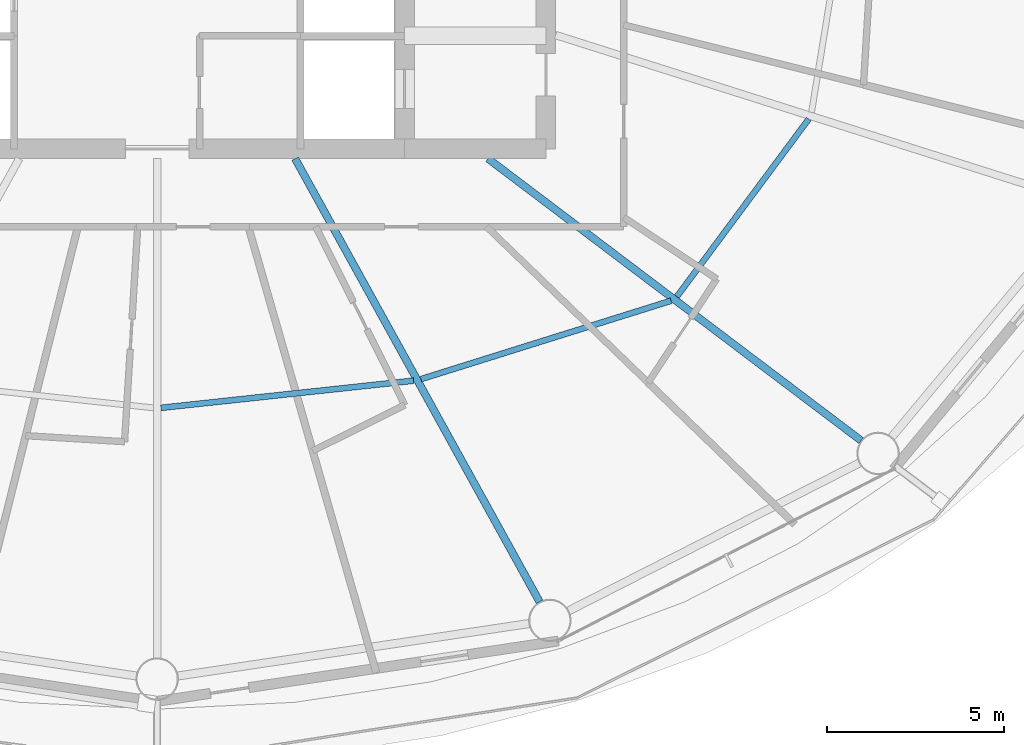
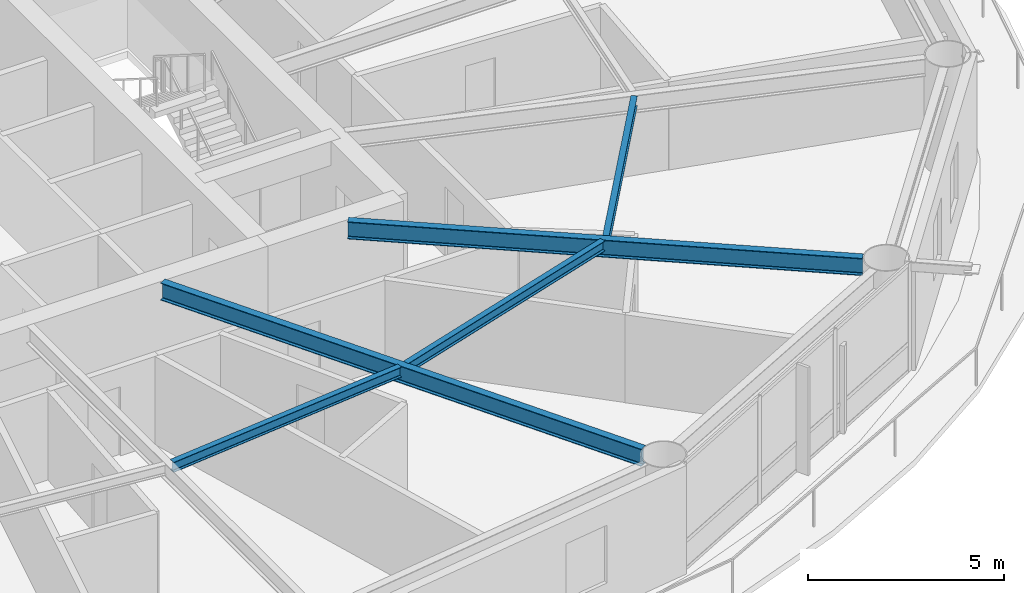
# One storey, part 5 of 24: 5 beams.
"""IFC4 building model written with IfcOpenShell, lengths in metres."""

from ifc_helpers import new_model, si_unit, direction, frame, origin, origin_2d, place, context, subcontext, project, spatial, i_section, extrude, material, material_profile, profile_set, type_object, element, save


model = new_model("IFC4")

# Units and contexts
model_context = context("Model", 3, precision=1e-05, world=origin(), true_north=direction((0.0, 1.0)))
body_context = subcontext(model_context, "Body", "Model", "MODEL_VIEW")
ifc_project = project(units=[si_unit("LENGTHUNIT", "METRE"), si_unit("AREAUNIT", "SQUARE_METRE"), si_unit("VOLUMEUNIT", "CUBIC_METRE"), si_unit("PLANEANGLEUNIT", "RADIAN"), si_unit("MASSUNIT", "GRAM", prefix="KILO")], contexts=[model_context])

# Site, building, storey
site_placement = place(None, origin())
site = spatial("IfcSite", under=ifc_project, at=site_placement, CompositionType="ELEMENT")
building_placement = place(site_placement, origin())
building = spatial("IfcBuilding", under=site, at=building_placement, Name="Sarneth Arch Tower", CompositionType="ELEMENT")
storey_placement = place(building_placement, frame((0.0, 0.0, 94.800048828125)))
storey = spatial("IfcBuildingStorey", under=building, at=storey_placement, Name="L23", CompositionType="ELEMENT", Elevation=94.800048828125)

# Beams
ifc_material_1 = material(Name="Steel S355", Category="steel")
ifc_material_profile_1 = material_profile(ifc_material_1, i_section(OverallWidth=0.1669921875, OverallDepth=0.31689453125, WebThickness=0.007568359375, FlangeThickness=0.01318359375, FilletRadius=0.012939453125, at=origin_2d()), Name="W310x52")
ifc_profile_set_1 = profile_set([ifc_material_profile_1], Name="Steel S355")
beam_type_1 = type_object("IfcBeamType", Name="BM-JOIST-310B", PredefinedType="JOIST", material=ifc_profile_set_1)
beam_1_placement = place(storey_placement, frame((48.10498046875, 27.873779296875, 3.221435546875), z_axis=(0.994257420028, 0.107014871487, 0.0), x_axis=(-0.107014871487, 0.994257420028, 0.0)))
element("IfcBeam", 1, at=beam_1_placement, inside=storey, type_object=beam_type_1, Name="L23 Secondary floor joist 13", PredefinedType="JOIST", context=body_context, shape_type="SweptSolid", body=[
    extrude(i_section(OverallWidth=0.1669921875, OverallDepth=0.31689453125, WebThickness=0.007568359375, FlangeThickness=0.01318359375, FilletRadius=0.012939453125, at=origin_2d()), origin(), (0.0, 0.0, 1.0), 7.193115234375),
])
beam_2_placement = place(storey_placement, frame((55.46240234375, 28.6865234375, 3.221435546875), z_axis=(0.954245982384, 0.299022750146, 0.0), x_axis=(-0.299022750146, 0.954245982384, 0.0)))
element("IfcBeam", 2, at=beam_2_placement, inside=storey, type_object=beam_type_1, Name="L23 Secondary floor joist 14", PredefinedType="JOIST", context=body_context, shape_type="SweptSolid", body=[
    extrude(i_section(OverallWidth=0.1669921875, OverallDepth=0.31689453125, WebThickness=0.007568359375, FlangeThickness=0.01318359375, FilletRadius=0.012939453125, at=origin_2d()), origin(), (0.0, 0.0, 1.0), 7.416748046875),
])
beam_3_placement = place(storey_placement, frame((62.703369140625, 31.0205078125, 3.221435546875), z_axis=(0.596098474255, 0.802911333206, 0.0), x_axis=(-0.802911333206, 0.596098474255, 0.0)))
element("IfcBeam", 3, at=beam_3_placement, inside=storey, type_object=beam_type_1, Name="L23 Secondary floor joist 15", PredefinedType="JOIST", context=body_context, shape_type="SweptSolid", body=[
    extrude(i_section(OverallWidth=0.1669921875, OverallDepth=0.31689453125, WebThickness=0.007568359375, FlangeThickness=0.01318359375, FilletRadius=0.012939453125, at=origin_2d()), origin(), (0.0, 0.0, 1.0), 6.259033203125),
])
ifc_material_2 = material(Name="Steel S355", Category="steel")
ifc_material_profile_2 = material_profile(ifc_material_2, i_section(OverallWidth=0.2109375, OverallDepth=0.5390625, WebThickness=0.01171875, FlangeThickness=0.018798828125, FilletRadius=0.01806640625, at=origin_2d()), Name="W530x109")
ifc_profile_set_2 = profile_set([ifc_material_profile_2], Name="Steel S355")
beam_type_2 = type_object("IfcBeamType", Name="BM-RAD-530B", PredefinedType="BEAM", material=ifc_profile_set_2)
beam_4_placement = place(storey_placement, frame((51.90283203125, 34.925048828125, 3.1103515625), z_axis=(0.483021011336, -0.875608761153, 0.0), x_axis=(0.875608761153, 0.483021011336, 0.0)))
element("IfcBeam", 4, at=beam_4_placement, inside=storey, type_object=beam_type_2, Name="L23 Radial floor girder 14", PredefinedType="BEAM", context=body_context, shape_type="SweptSolid", body=[
    extrude(i_section(OverallWidth=0.2109375, OverallDepth=0.5390625, WebThickness=0.01171875, FlangeThickness=0.018798828125, FilletRadius=0.01806640625, at=origin_2d()), origin(), (0.0, 0.0, 1.0), 14.32177734375),
])
beam_5_placement = place(storey_placement, frame((57.36181640625, 34.925048828125, 3.1103515625), z_axis=(0.797802835234, -0.602918432371, 0.0), x_axis=(0.602918432371, 0.797802835234, 0.0)))
element("IfcBeam", 5, at=beam_5_placement, inside=storey, type_object=beam_type_2, Name="L23 Radial floor girder 15", PredefinedType="BEAM", context=body_context, shape_type="SweptSolid", body=[
    extrude(i_section(OverallWidth=0.2109375, OverallDepth=0.5390625, WebThickness=0.01171875, FlangeThickness=0.018798828125, FilletRadius=0.01806640625, at=origin_2d()), origin(), (0.0, 0.0, 1.0), 13.232666015625),
])

save(model, "model.ifc")
